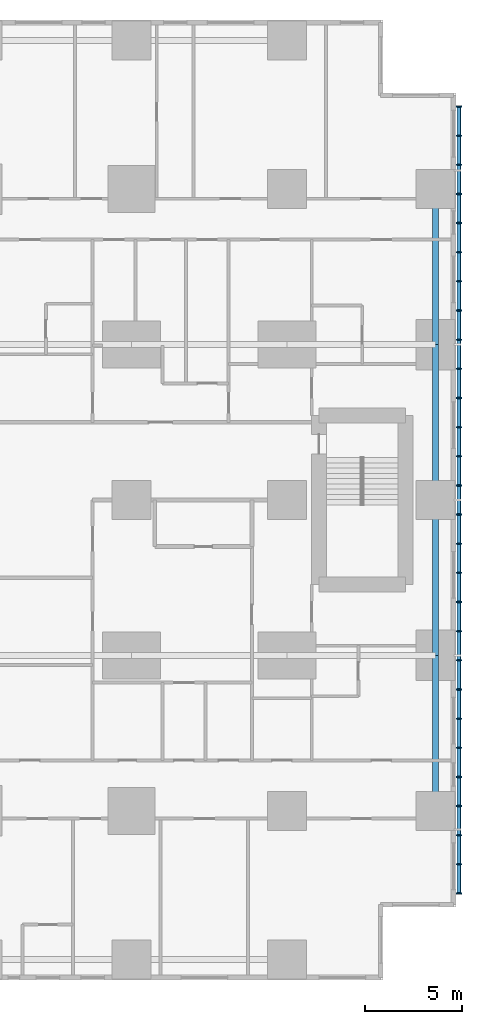
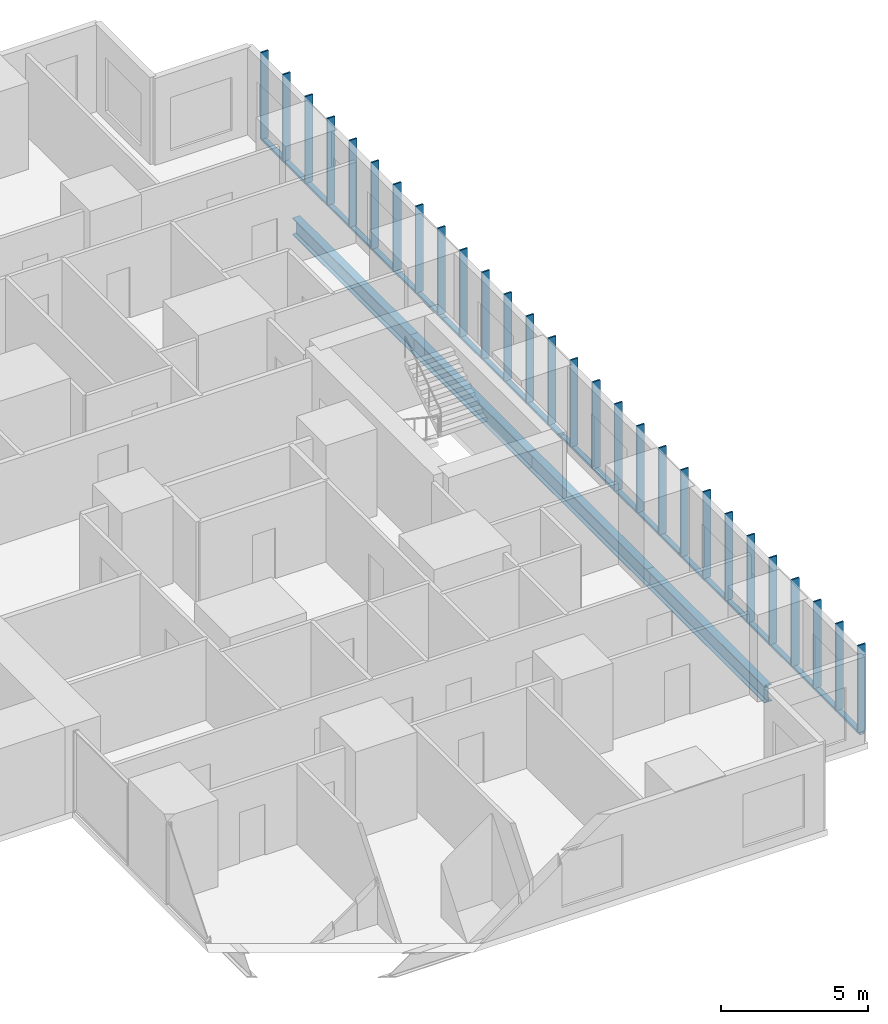
# One storey, part 6 of 20: 32 members, 4 beams.
"""IFC4 building model written with IfcOpenShell, lengths in metres."""

from ifc_helpers import new_model, si_unit, direction, frame, origin, origin_2d, place, context, subcontext, project, spatial, rectangle, hollow_rectangle, i_section, extrude, material, material_profile, profile_set, type_object, element, save


model = new_model("IFC4")

# Units and contexts
model_context = context("Model", 3, precision=1e-05, world=origin(), true_north=direction((0.0, 1.0)))
body_context = subcontext(model_context, "Body", "Model", "MODEL_VIEW")
ifc_project = project(units=[si_unit("LENGTHUNIT", "METRE"), si_unit("AREAUNIT", "SQUARE_METRE"), si_unit("VOLUMEUNIT", "CUBIC_METRE"), si_unit("PLANEANGLEUNIT", "RADIAN"), si_unit("MASSUNIT", "GRAM", prefix="KILO")], contexts=[model_context])

# Site, building, storey
site_placement = place(None, origin())
site = spatial("IfcSite", under=ifc_project, at=site_placement, CompositionType="ELEMENT")
building_placement = place(site_placement, origin())
building = spatial("IfcBuilding", under=site, at=building_placement, Name="Cleftline Residences", CompositionType="ELEMENT")
storey_placement = place(building_placement, frame((0.0, 0.0, 99.800048828125)))
storey = spatial("IfcBuildingStorey", under=building, at=storey_placement, Name="L25", CompositionType="ELEMENT", Elevation=99.800048828125)

# Members
ifc_material_1 = material(Name="Steel S355, hot-dip galvanised", Category="steel")
ifc_material_profile_1 = material_profile(ifc_material_1, hollow_rectangle(XDim=0.10009765625, YDim=0.199951171875, WallThickness=0.008056640625, InnerFilletRadius=0.008056640625, OuterFilletRadius=0.011962890625, at=origin_2d()))
ifc_profile_set_1 = profile_set([ifc_material_profile_1], Name="Steel S355, hot-dip galvanised")
member_type_1 = type_object("IfcMemberType", Name="BAGUETTE CARRIER RHS 200X100X8", PredefinedType="USERDEFINED", material=ifc_profile_set_1)
member_1_placement = place(storey_placement, frame((66.85009765625, 3.699951171875, -0.050048828125), z_axis=(0.0, 1.0, 0.0), x_axis=(0.0, 0.0, 1.0)))
element("IfcMember", 1, at=member_1_placement, inside=storey, type_object=member_type_1, Name="Baguette carrier", ObjectType="BAGUETTE CARRIER", PredefinedType="USERDEFINED", context=body_context, shape_type="SweptSolid", body=[
    extrude(hollow_rectangle(XDim=0.10009765625, YDim=0.199951171875, WallThickness=0.008056640625, InnerFilletRadius=0.008056640625, OuterFilletRadius=0.011962890625, at=origin_2d()), origin(), (0.0, 0.0, 1.0), 12.300048828125),
])
for number, where, z_axis, x_axis, name in (
    (2, (66.85009765625, 16.0, -0.050048828125), (0.0, 1.0, 0.0), (0.0, 0.0, 1.0), "Baguette carrier"),
    (3, (66.85009765625, 24.0, -0.050048828125), (0.0, 1.0, 0.0), (0.0, 0.0, 1.0), "Baguette carrier"),
):
    element("IfcMember", number, at=place(storey_placement, frame(where, z_axis=z_axis, x_axis=x_axis)), inside=storey, type_object=member_type_1, Name=name, ObjectType="BAGUETTE CARRIER", PredefinedType="USERDEFINED", context=body_context, shape_type="SweptSolid", body=[
        extrude(hollow_rectangle(XDim=0.10009765625, YDim=0.199951171875, WallThickness=0.008056640625, InnerFilletRadius=0.008056640625, OuterFilletRadius=0.011962890625, at=origin_2d()), origin(), (0.0, 0.0, 1.0), 8.0),
    ])
member_2_placement = place(storey_placement, frame((66.85009765625, 32.0, -0.050048828125), z_axis=(0.0, 1.0, 0.0), x_axis=(0.0, 0.0, 1.0)))
element("IfcMember", 4, at=member_2_placement, inside=storey, type_object=member_type_1, Name="Baguette carrier", ObjectType="BAGUETTE CARRIER", PredefinedType="USERDEFINED", context=body_context, shape_type="SweptSolid", body=[
    extrude(hollow_rectangle(XDim=0.10009765625, YDim=0.199951171875, WallThickness=0.008056640625, InnerFilletRadius=0.008056640625, OuterFilletRadius=0.011962890625, at=origin_2d()), origin(), (0.0, 0.0, 1.0), 12.300048828125),
])

# Beams
ifc_material_2 = material(Name="Steel S355", Category="steel")
ifc_material_profile_2 = material_profile(ifc_material_2, i_section(OverallWidth=0.300048828125, OverallDepth=0.699951171875, WebThickness=0.01708984375, FlangeThickness=0.031982421875, FilletRadius=0.027099609375, at=origin_2d()))
ifc_profile_set_2 = profile_set([ifc_material_profile_2], Name="Steel S355")
beam_type = type_object("IfcBeamType", Name="BEAM HEB 700", PredefinedType="BEAM", material=ifc_profile_set_2)
for number, where, z_axis, x_axis, name in (
    (5, (65.64990234375, 8.0, -0.60009765625), (0.0, 1.0, 0.0), (-1.0, 0.0, 0.0), "Edge beam"),
    (6, (65.64990234375, 16.0, -0.60009765625), (0.0, 1.0, 0.0), (-1.0, 0.0, 0.0), "Edge beam"),
    (7, (65.64990234375, 24.0, -0.60009765625), (0.0, 1.0, 0.0), (-1.0, 0.0, 0.0), "Edge beam"),
    (8, (65.64990234375, 32.0, -0.60009765625), (0.0, 1.0, 0.0), (-1.0, 0.0, 0.0), "Edge beam"),
):
    element("IfcBeam", number, at=place(storey_placement, frame(where, z_axis=z_axis, x_axis=x_axis)), inside=storey, type_object=beam_type, Name=name, PredefinedType="BEAM", context=body_context, shape_type="SweptSolid", body=[
        extrude(i_section(OverallWidth=0.300048828125, OverallDepth=0.699951171875, WebThickness=0.01708984375, FlangeThickness=0.031982421875, FilletRadius=0.027099609375, at=origin_2d()), origin(), (0.0, 0.0, 1.0), 8.0),
    ])

# Members
ifc_material_3 = material(Name="Extruded terracotta", Category="masonry")
ifc_material_profile_3 = material_profile(ifc_material_3, rectangle(XDim=0.06005859375, YDim=0.300048828125, at=origin_2d()))
ifc_profile_set_3 = profile_set([ifc_material_profile_3], Name="Extruded terracotta")
member_type_2 = type_object("IfcMemberType", Name="TERRACOTTA BAGUETTE 60X300", PredefinedType="USERDEFINED", material=ifc_profile_set_3)
for number, where, z_axis, x_axis, name in (
    (9, (66.85009765625, 3.75, 0.0), (0.0, 0.0, 1.0), (0.0, 1.0, 0.0), "Terracotta baguette"),
    (10, (66.85009765625, 5.25, 0.0), (0.0, 0.0, 1.0), (0.0, 1.0, 0.0), "Terracotta baguette"),
    (11, (66.85009765625, 6.75, 0.0), (0.0, 0.0, 1.0), (0.0, 1.0, 0.0), "Terracotta baguette"),
    (12, (66.85009765625, 8.25, 0.0), (0.0, 0.0, 1.0), (0.0, 1.0, 0.0), "Terracotta baguette"),
    (13, (66.85009765625, 9.75, 0.0), (0.0, 0.0, 1.0), (0.0, 1.0, 0.0), "Terracotta baguette"),
    (14, (66.85009765625, 11.25, 0.0), (0.0, 0.0, 1.0), (0.0, 1.0, 0.0), "Terracotta baguette"),
    (15, (66.85009765625, 12.75, 0.0), (0.0, 0.0, 1.0), (0.0, 1.0, 0.0), "Terracotta baguette"),
    (16, (66.85009765625, 14.25, 0.0), (0.0, 0.0, 1.0), (0.0, 1.0, 0.0), "Terracotta baguette"),
    (17, (66.85009765625, 15.75, 0.0), (0.0, 0.0, 1.0), (0.0, 1.0, 0.0), "Terracotta baguette"),
    (18, (66.85009765625, 17.25, 0.0), (0.0, 0.0, 1.0), (0.0, 1.0, 0.0), "Terracotta baguette"),
    (19, (66.85009765625, 18.75, 0.0), (0.0, 0.0, 1.0), (0.0, 1.0, 0.0), "Terracotta baguette"),
    (20, (66.85009765625, 20.25, 0.0), (0.0, 0.0, 1.0), (0.0, 1.0, 0.0), "Terracotta baguette"),
    (21, (66.85009765625, 21.75, 0.0), (0.0, 0.0, 1.0), (0.0, 1.0, 0.0), "Terracotta baguette"),
    (22, (66.85009765625, 23.25, 0.0), (0.0, 0.0, 1.0), (0.0, 1.0, 0.0), "Terracotta baguette"),
    (23, (66.85009765625, 24.75, 0.0), (0.0, 0.0, 1.0), (0.0, 1.0, 0.0), "Terracotta baguette"),
    (24, (66.85009765625, 26.25, 0.0), (0.0, 0.0, 1.0), (0.0, 1.0, 0.0), "Terracotta baguette"),
    (25, (66.85009765625, 27.75, 0.0), (0.0, 0.0, 1.0), (0.0, 1.0, 0.0), "Terracotta baguette"),
    (26, (66.85009765625, 29.25, 0.0), (0.0, 0.0, 1.0), (0.0, 1.0, 0.0), "Terracotta baguette"),
    (27, (66.85009765625, 30.75, 0.0), (0.0, 0.0, 1.0), (0.0, 1.0, 0.0), "Terracotta baguette"),
    (28, (66.85009765625, 32.25, 0.0), (0.0, 0.0, 1.0), (0.0, 1.0, 0.0), "Terracotta baguette"),
    (29, (66.85009765625, 33.75, 0.0), (0.0, 0.0, 1.0), (0.0, 1.0, 0.0), "Terracotta baguette"),
    (30, (66.85009765625, 35.25, 0.0), (0.0, 0.0, 1.0), (0.0, 1.0, 0.0), "Terracotta baguette"),
    (31, (66.85009765625, 36.75, 0.0), (0.0, 0.0, 1.0), (0.0, 1.0, 0.0), "Terracotta baguette"),
    (32, (66.85009765625, 38.25, 0.0), (0.0, 0.0, 1.0), (0.0, 1.0, 0.0), "Terracotta baguette"),
    (33, (66.85009765625, 39.75, 0.0), (0.0, 0.0, 1.0), (0.0, 1.0, 0.0), "Terracotta baguette"),
    (34, (66.85009765625, 41.25, 0.0), (0.0, 0.0, 1.0), (0.0, 1.0, 0.0), "Terracotta baguette"),
    (35, (66.85009765625, 42.75, 0.0), (0.0, 0.0, 1.0), (0.0, 1.0, 0.0), "Terracotta baguette"),
    (36, (66.85009765625, 44.25, 0.0), (0.0, 0.0, 1.0), (0.0, 1.0, 0.0), "Terracotta baguette"),
):
    element("IfcMember", number, at=place(storey_placement, frame(where, z_axis=z_axis, x_axis=x_axis)), inside=storey, type_object=member_type_2, Name=name, ObjectType="BAGUETTE", PredefinedType="USERDEFINED", context=body_context, shape_type="SweptSolid", body=[
        extrude(rectangle(XDim=0.06005859375, YDim=0.300048828125, at=origin_2d()), origin(), (0.0, 0.0, 1.0), 3.599853515625),
    ])

save(model, "model.ifc")
